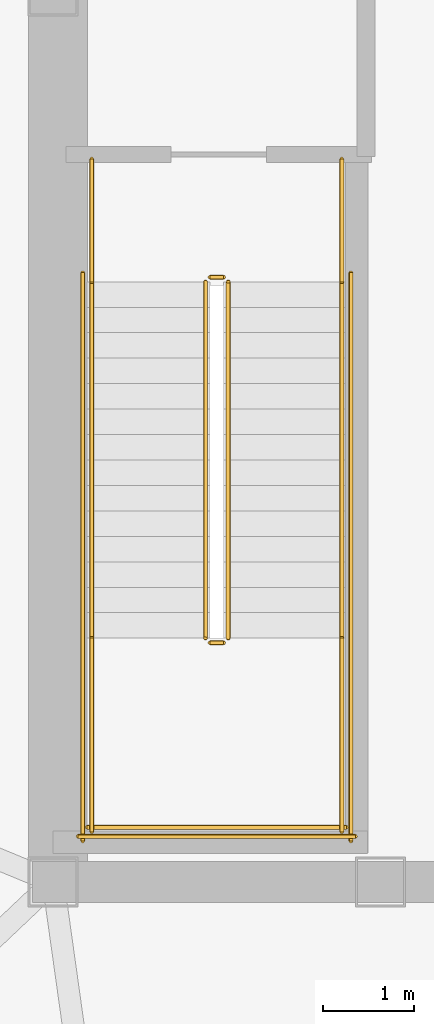
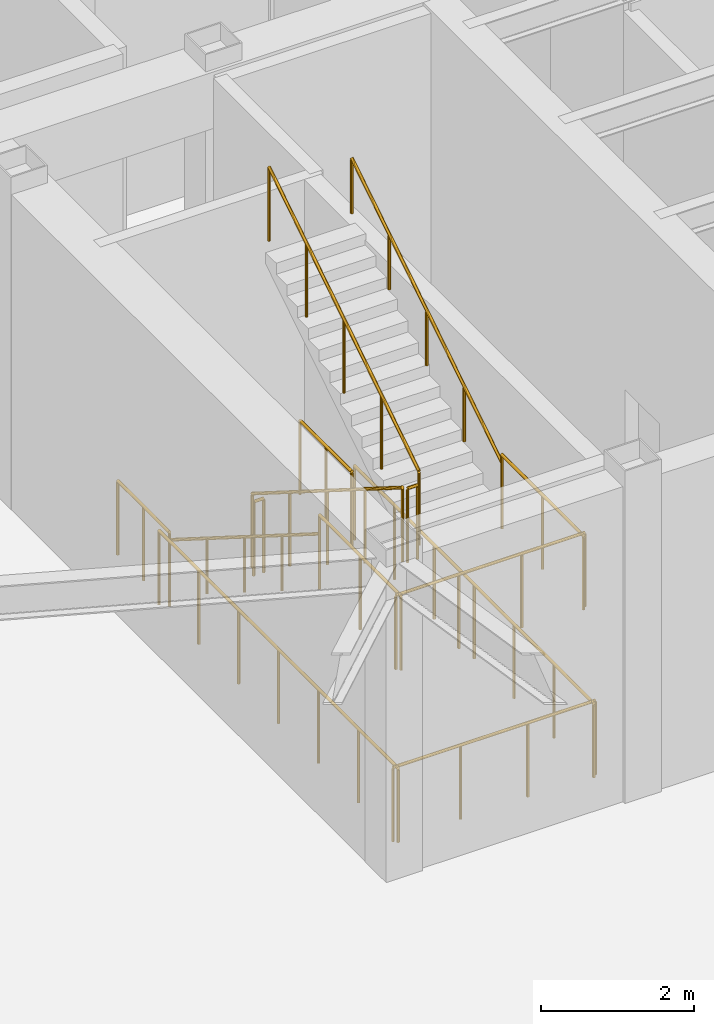
# One storey, part 22 of 23: 14 railings.
"""IFC4 building model written with IfcOpenShell, lengths in metres."""

from ifc_helpers import new_model, si_unit, direction, frame, origin, origin_2d, place, context, subcontext, project, spatial, circle, extrude, material, type_object, element, save


model = new_model("IFC4")

# Units and contexts
model_context = context("Model", 3, precision=1e-05, world=origin(), true_north=direction((0.0, 1.0)))
body_context = subcontext(model_context, "Body", "Model", "MODEL_VIEW")
ifc_project = project(units=[si_unit("LENGTHUNIT", "METRE"), si_unit("AREAUNIT", "SQUARE_METRE"), si_unit("VOLUMEUNIT", "CUBIC_METRE"), si_unit("PLANEANGLEUNIT", "RADIAN"), si_unit("MASSUNIT", "GRAM", prefix="KILO")], contexts=[model_context])

# Site, building, storey
site_placement = place(None, origin())
site = spatial("IfcSite", under=ifc_project, at=site_placement, CompositionType="ELEMENT")
building_placement = place(site_placement, origin())
building = spatial("IfcBuilding", under=site, at=building_placement, Name="Voryun Gate Residences", CompositionType="ELEMENT")
storey_placement = place(building_placement, frame((0.0, 0.0, 331.89990234375)))
storey = spatial("IfcBuildingStorey", under=building, at=storey_placement, Name="L81", CompositionType="ELEMENT", Elevation=331.89990234375)

# Railings
ifc_material_1 = material(Name="Painted steel", Category="steel")
railing_type_1 = type_object("IfcRailingType", Name="RAIL_STAIR_GUARD_1200", PredefinedType="GUARDRAIL", material=ifc_material_1)
railing_1_placement = place(storey_placement, frame((-17.52490234375, -0.800048828125, 0.1767578125)))
element("IfcRailing", 1, at=railing_1_placement, inside=storey, type_object=railing_type_1, Name="L81 ST-W1 stair guard 1", PredefinedType="GUARDRAIL", context=body_context, shape_type="SweptSolid", body=[
    extrude(circle(Radius=0.02392578125, at=origin_2d()), frame((0.0, 0.0, 1.17578125), z_axis=(0.0, -0.845717874625, 0.533630280756), x_axis=(1.0, 0.0, 0.0)), (0.0, 0.0, 1.0), 4.635009765625),
    extrude(circle(Radius=0.02099609375, at=origin_2d()), origin(), (0.0, 0.0, 1.0), 1.15185546875),
    extrude(circle(Radius=0.02099609375, at=origin_2d()), frame((0.0, -0.97998046875, 0.618408203125)), (0.0, 0.0, 1.0), 1.15185546875),
    extrude(circle(Radius=0.02099609375, at=origin_2d()), frame((0.0, -1.9599609375, 1.23681640625)), (0.0, 0.0, 1.0), 1.15185546875),
    extrude(circle(Radius=0.02099609375, at=origin_2d()), frame((0.0, -2.93994140625, 1.85498046875)), (0.0, 0.0, 1.0), 1.15185546875),
    extrude(circle(Radius=0.02099609375, at=origin_2d()), frame((0.0, -3.919921875, 2.473388671875)), (0.0, 0.0, 1.0), 1.15185546875),
])
railing_2_placement = place(storey_placement, frame((-17.47509765625, -4.77001953125, 2.650146484375)))
element("IfcRailing", 2, at=railing_2_placement, inside=storey, type_object=railing_type_1, Name="L81 ST-W1 stair guard 2", PredefinedType="GUARDRAIL", context=body_context, shape_type="SweptSolid", body=[
    extrude(circle(Radius=0.02392578125, at=origin_2d()), frame((0.0, 0.0, 1.17578125), z_axis=(1.0, 0.0, 0.0), x_axis=(0.0, 1.0, 0.0)), (0.0, 0.0, 1.0), 0.150146484375),
    extrude(circle(Radius=0.02099609375, at=origin_2d()), origin(), (0.0, 0.0, 1.0), 1.15185546875),
    extrude(circle(Radius=0.02099609375, at=origin_2d()), frame((0.150146484375, 0.0, 0.0)), (0.0, 0.0, 1.0), 1.15185546875),
])
for number, where, name in (
    (3, (-18.77490234375, -4.719970703125, 2.650146484375), "L81 ST-W1 stair guard 3"),
    (4, (-16.02490234375, -4.719970703125, 2.650146484375), "L81 ST-W1 stair guard 4"),
):
    element("IfcRailing", number, at=place(storey_placement, frame(where)), inside=storey, type_object=railing_type_1, Name=name, PredefinedType="GUARDRAIL", context=body_context, shape_type="SweptSolid", body=[
        extrude(circle(Radius=0.02392578125, at=origin_2d()), frame((0.0, 0.0, 1.17578125), z_axis=(0.0, -1.0, 0.0), x_axis=(1.0, 0.0, 0.0)), (0.0, 0.0, 1.0), 2.130126953125),
        extrude(circle(Radius=0.02099609375, at=origin_2d()), origin(), (0.0, 0.0, 1.0), 1.15185546875),
        extrude(circle(Radius=0.02099609375, at=origin_2d()), frame((0.0, -1.06494140625, 0.0)), (0.0, 0.0, 1.0), 1.15185546875),
        extrude(circle(Radius=0.02099609375, at=origin_2d()), frame((0.0, -2.130126953125, 0.0)), (0.0, 0.0, 1.0), 1.15185546875),
    ])
railing_3_placement = place(storey_placement, frame((-18.824951171875, -6.800048828125, 2.650146484375)))
element("IfcRailing", 5, at=railing_3_placement, inside=storey, type_object=railing_type_1, Name="L81 ST-W1 stair guard 5", PredefinedType="GUARDRAIL", context=body_context, shape_type="SweptSolid", body=[
    extrude(circle(Radius=0.02392578125, at=origin_2d()), frame((0.0, 0.0, 1.17578125), z_axis=(1.0, 0.0, 0.0), x_axis=(0.0, 1.0, 0.0)), (0.0, 0.0, 1.0), 2.849853515625),
    extrude(circle(Radius=0.02099609375, at=origin_2d()), origin(), (0.0, 0.0, 1.0), 1.15185546875),
    extrude(circle(Radius=0.02099609375, at=origin_2d()), frame((0.949951171875, 0.0, 0.0)), (0.0, 0.0, 1.0), 1.15185546875),
    extrude(circle(Radius=0.02099609375, at=origin_2d()), frame((1.89990234375, 0.0, 0.0)), (0.0, 0.0, 1.0), 1.15185546875),
    extrude(circle(Radius=0.02099609375, at=origin_2d()), frame((2.849853515625, 0.0, 0.0)), (0.0, 0.0, 1.0), 1.15185546875),
])
railing_4_placement = place(storey_placement, frame((-17.27490234375, -4.719970703125, 2.82666015625)))
element("IfcRailing", 6, at=railing_4_placement, inside=storey, type_object=railing_type_1, Name="L81 ST-W1 stair guard 6", PredefinedType="GUARDRAIL", context=body_context, shape_type="SweptSolid", body=[
    extrude(circle(Radius=0.02392578125, at=origin_2d()), frame((0.0, 0.0, 1.17578125), z_axis=(0.0, 0.845717874625, 0.533630280756), x_axis=(-1.0, 0.0, 0.0)), (0.0, 0.0, 1.0), 4.635009765625),
    extrude(circle(Radius=0.02099609375, at=origin_2d()), origin(), (0.0, 0.0, 1.0), 1.15185546875),
    extrude(circle(Radius=0.02099609375, at=origin_2d()), frame((0.0, 0.97998046875, 0.618408203125)), (0.0, 0.0, 1.0), 1.15185546875),
    extrude(circle(Radius=0.02099609375, at=origin_2d()), frame((0.0, 1.9599609375, 1.23681640625)), (0.0, 0.0, 1.0), 1.15185546875),
    extrude(circle(Radius=0.02099609375, at=origin_2d()), frame((0.0, 2.93994140625, 1.85498046875)), (0.0, 0.0, 1.0), 1.15185546875),
    extrude(circle(Radius=0.02099609375, at=origin_2d()), frame((0.0, 3.919921875, 2.473388671875)), (0.0, 0.0, 1.0), 1.15185546875),
])
railing_5_placement = place(storey_placement, frame((-17.47509765625, -0.75, 0.0)))
element("IfcRailing", 7, at=railing_5_placement, inside=storey, type_object=railing_type_1, Name="L81 ST-W1 stair guard 7", PredefinedType="GUARDRAIL", context=body_context, shape_type="SweptSolid", body=[
    extrude(circle(Radius=0.02392578125, at=origin_2d()), frame((0.0, 0.0, 1.17578125), z_axis=(1.0, 0.0, 0.0), x_axis=(0.0, 1.0, 0.0)), (0.0, 0.0, 1.0), 0.150146484375),
    extrude(circle(Radius=0.02099609375, at=origin_2d()), origin(), (0.0, 0.0, 1.0), 1.15185546875),
    extrude(circle(Radius=0.02099609375, at=origin_2d()), frame((0.150146484375, 0.0, 0.0)), (0.0, 0.0, 1.0), 1.15185546875),
])
for number, where, name in (
    (8, (-18.77490234375, 0.550048828125, 0.0), "L81 ST-W1 stair guard 8"),
    (9, (-16.02490234375, 0.550048828125, 0.0), "L81 ST-W1 stair guard 9"),
):
    element("IfcRailing", number, at=place(storey_placement, frame(where)), inside=storey, type_object=railing_type_1, Name=name, PredefinedType="GUARDRAIL", context=body_context, shape_type="SweptSolid", body=[
        extrude(circle(Radius=0.02392578125, at=origin_2d()), frame((0.0, 0.0, 1.17578125), z_axis=(0.0, -1.0, 0.0), x_axis=(1.0, 0.0, 0.0)), (0.0, 0.0, 1.0), 1.35009765625),
        extrude(circle(Radius=0.02099609375, at=origin_2d()), origin(), (0.0, 0.0, 1.0), 1.15185546875),
        extrude(circle(Radius=0.02099609375, at=origin_2d()), frame((0.0, -0.675048828125, 0.0)), (0.0, 0.0, 1.0), 1.15185546875),
        extrude(circle(Radius=0.02099609375, at=origin_2d()), frame((0.0, -1.35009765625, 0.0)), (0.0, 0.0, 1.0), 1.15185546875),
    ])
for number, where, name in (
    (10, (-18.875, -0.699951171875, 0.0), "L81 ST-W1 stair guard 10"),
    (11, (-15.925048828125, -0.699951171875, 0.0), "L81 ST-W1 stair guard 11"),
):
    element("IfcRailing", number, at=place(storey_placement, frame(where)), inside=storey, type_object=railing_type_1, Name=name, PredefinedType="GUARDRAIL", context=body_context, shape_type="SweptSolid", body=[
        extrude(circle(Radius=0.02392578125, at=origin_2d()), frame((0.0, 0.0, 1.17578125), z_axis=(0.0, -1.0, 0.0), x_axis=(1.0, 0.0, 0.0)), (0.0, 0.0, 1.0), 6.25),
        extrude(circle(Radius=0.02099609375, at=origin_2d()), origin(), (0.0, 0.0, 1.0), 1.15185546875),
        extrude(circle(Radius=0.02099609375, at=origin_2d()), frame((0.0, -1.041748046875, 0.0)), (0.0, 0.0, 1.0), 1.15185546875),
        extrude(circle(Radius=0.02099609375, at=origin_2d()), frame((0.0, -2.083251953125, 0.0)), (0.0, 0.0, 1.0), 1.15185546875),
        extrude(circle(Radius=0.02099609375, at=origin_2d()), frame((0.0, -3.125, 0.0)), (0.0, 0.0, 1.0), 1.15185546875),
        extrude(circle(Radius=0.02099609375, at=origin_2d()), frame((0.0, -4.166748046875, 0.0)), (0.0, 0.0, 1.0), 1.15185546875),
        extrude(circle(Radius=0.02099609375, at=origin_2d()), frame((0.0, -5.208251953125, 0.0)), (0.0, 0.0, 1.0), 1.15185546875),
        extrude(circle(Radius=0.02099609375, at=origin_2d()), frame((0.0, -6.25, 0.0)), (0.0, 0.0, 1.0), 1.15185546875),
    ])
railing_6_placement = place(storey_placement, frame((-18.925048828125, -6.89990234375, 0.0)))
element("IfcRailing", 12, at=railing_6_placement, inside=storey, type_object=railing_type_1, Name="L81 ST-W1 stair guard 12", PredefinedType="GUARDRAIL", context=body_context, shape_type="SweptSolid", body=[
    extrude(circle(Radius=0.02392578125, at=origin_2d()), frame((0.0, 0.0, 1.17578125), z_axis=(1.0, 0.0, 0.0), x_axis=(0.0, 1.0, 0.0)), (0.0, 0.0, 1.0), 3.050048828125),
    extrude(circle(Radius=0.02099609375, at=origin_2d()), origin(), (0.0, 0.0, 1.0), 1.15185546875),
    extrude(circle(Radius=0.02099609375, at=origin_2d()), frame((1.0166015625, 0.0, 0.0)), (0.0, 0.0, 1.0), 1.15185546875),
    extrude(circle(Radius=0.02099609375, at=origin_2d()), frame((2.033447265625, 0.0, 0.0)), (0.0, 0.0, 1.0), 1.15185546875),
    extrude(circle(Radius=0.02099609375, at=origin_2d()), frame((3.050048828125, 0.0, 0.0)), (0.0, 0.0, 1.0), 1.15185546875),
])
ifc_material_2 = material(Name="Painted steel", Category="steel")
railing_type_2 = type_object("IfcRailingType", Name="RAIL_STAIR_HANDRAIL_900", PredefinedType="HANDRAIL", material=ifc_material_2)
railing_7_placement = place(storey_placement, frame((-18.77490234375, -0.800048828125, 0.1767578125)))
element("IfcRailing", 13, at=railing_7_placement, inside=storey, type_object=railing_type_2, Name="L81 ST-W1 stair handrail 1", PredefinedType="HANDRAIL", context=body_context, shape_type="SweptSolid", body=[
    extrude(circle(Radius=0.02392578125, at=origin_2d()), frame((0.0, 0.0, 0.8759765625), z_axis=(0.0, -0.845717874625, 0.533630280756), x_axis=(1.0, 0.0, 0.0)), (0.0, 0.0, 1.0), 4.635009765625),
    extrude(circle(Radius=0.02099609375, at=origin_2d()), origin(), (0.0, 0.0, 1.0), 0.851806640625),
    extrude(circle(Radius=0.02099609375, at=origin_2d()), frame((0.0, -0.97998046875, 0.618408203125)), (0.0, 0.0, 1.0), 0.851806640625),
    extrude(circle(Radius=0.02099609375, at=origin_2d()), frame((0.0, -1.9599609375, 1.23681640625)), (0.0, 0.0, 1.0), 0.851806640625),
    extrude(circle(Radius=0.02099609375, at=origin_2d()), frame((0.0, -2.93994140625, 1.85498046875)), (0.0, 0.0, 1.0), 0.851806640625),
    extrude(circle(Radius=0.02099609375, at=origin_2d()), frame((0.0, -3.919921875, 2.473388671875)), (0.0, 0.0, 1.0), 0.851806640625),
])
railing_8_placement = place(storey_placement, frame((-16.02490234375, -4.719970703125, 2.82666015625)))
element("IfcRailing", 14, at=railing_8_placement, inside=storey, type_object=railing_type_2, Name="L81 ST-W1 stair handrail 2", PredefinedType="HANDRAIL", context=body_context, shape_type="SweptSolid", body=[
    extrude(circle(Radius=0.02392578125, at=origin_2d()), frame((0.0, 0.0, 0.8759765625), z_axis=(0.0, 0.845717874625, 0.533630280756), x_axis=(-1.0, 0.0, 0.0)), (0.0, 0.0, 1.0), 4.635009765625),
    extrude(circle(Radius=0.02099609375, at=origin_2d()), origin(), (0.0, 0.0, 1.0), 0.851806640625),
    extrude(circle(Radius=0.02099609375, at=origin_2d()), frame((0.0, 0.97998046875, 0.618408203125)), (0.0, 0.0, 1.0), 0.851806640625),
    extrude(circle(Radius=0.02099609375, at=origin_2d()), frame((0.0, 1.9599609375, 1.23681640625)), (0.0, 0.0, 1.0), 0.851806640625),
    extrude(circle(Radius=0.02099609375, at=origin_2d()), frame((0.0, 2.93994140625, 1.85498046875)), (0.0, 0.0, 1.0), 0.851806640625),
    extrude(circle(Radius=0.02099609375, at=origin_2d()), frame((0.0, 3.919921875, 2.473388671875)), (0.0, 0.0, 1.0), 0.851806640625),
])

save(model, "model.ifc")
